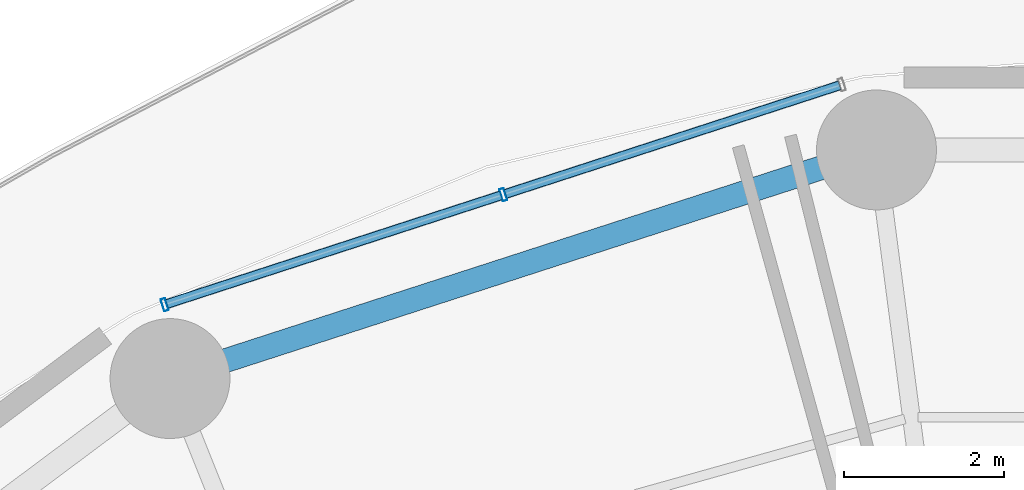
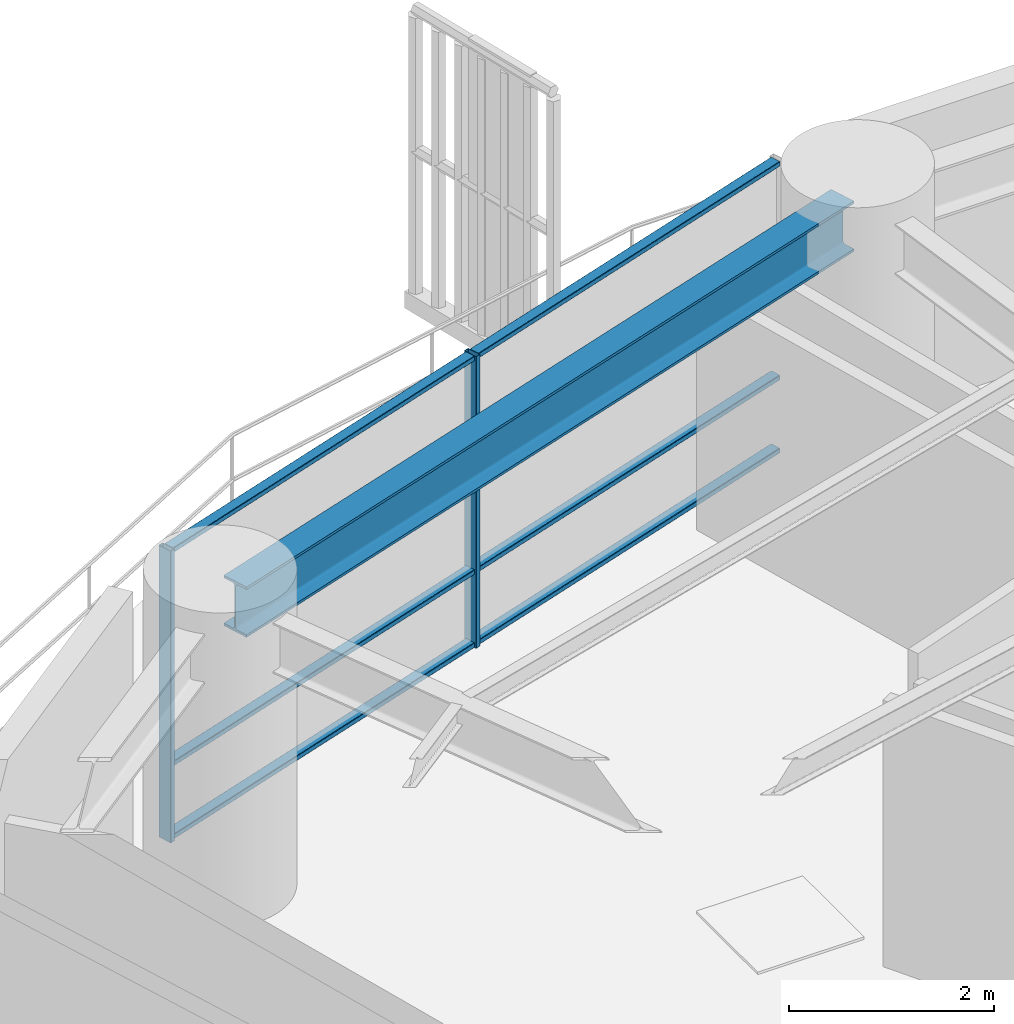
# One storey, part 17 of 34: 8 members, 1 beam, 1 element without a shape of its own.
"""IFC4 building model written with IfcOpenShell, lengths in metres."""

from ifc_helpers import new_model, si_unit, direction, frame, origin, origin_2d, place, context, subcontext, project, spatial, hollow_rectangle, i_section, extrude, material, layer, layer_set, material_profile, profile_set, type_object, element, aggregate, save


model = new_model("IFC4")

# Units and contexts
model_context = context("Model", 3, precision=1e-05, world=origin(), true_north=direction((0.0, 1.0)))
body_context = subcontext(model_context, "Body", "Model", "MODEL_VIEW")
ifc_project = project(units=[si_unit("LENGTHUNIT", "METRE"), si_unit("AREAUNIT", "SQUARE_METRE"), si_unit("VOLUMEUNIT", "CUBIC_METRE"), si_unit("PLANEANGLEUNIT", "RADIAN"), si_unit("MASSUNIT", "GRAM", prefix="KILO")], contexts=[model_context])

# Site, building, storey
site_placement = place(None, origin())
site = spatial("IfcSite", under=ifc_project, at=site_placement, CompositionType="ELEMENT")
building_placement = place(site_placement, origin())
building = spatial("IfcBuilding", under=site, at=building_placement, Name="Kelanora Arch Commons", CompositionType="ELEMENT")
storey_placement = place(building_placement, frame((0.0, 0.0, 30.0)))
storey = spatial("IfcBuildingStorey", under=building, at=storey_placement, Name="L07", CompositionType="ELEMENT", Elevation=30.0)

# Beam
ifc_material_1 = material(Name="Steel S355", Category="steel")
ifc_material_profile_1 = material_profile(ifc_material_1, i_section(OverallWidth=0.300048828125, OverallDepth=0.60009765625, WebThickness=0.015380859375, FlangeThickness=0.030029296875, FilletRadius=0.027099609375, at=origin_2d()), Name="HEB600")
ifc_profile_set_1 = profile_set([ifc_material_profile_1], Name="Steel S355")
beam_type = type_object("IfcBeamType", Name="BM-SPN-Z1", PredefinedType="SPANDREL", material=ifc_profile_set_1)
beam_placement = place(storey_placement, frame((69.08837890625, 81.646484375, 3.18994140625), z_axis=(-0.951411479564, -0.307922387224, 0.0), x_axis=(0.307922387224, -0.951411479564, 0.0)))
element("IfcBeam", 1, at=beam_placement, inside=storey, type_object=beam_type, Name="Perimeter Spandrel Beam BS-10 L07", PredefinedType="SPANDREL", context=body_context, shape_type="SweptSolid", body=[
    extrude(i_section(OverallWidth=0.300048828125, OverallDepth=0.60009765625, WebThickness=0.015380859375, FlangeThickness=0.030029296875, FilletRadius=0.027099609375, at=origin_2d()), origin(), (0.0, 0.0, 1.0), 8.84912109375),
])

# Curtain wall, members
ifc_material_2 = material(Name="Terracotta ceramic-fritted low-E glass and aluminium", Category="masonry")
ifc_layer = layer(ifc_material_2, 0.159912109375)
ifc_layer_set = layer_set([ifc_layer], Name="Terracotta ceramic-fritted low-E glass and aluminium")
curtain_wall_type = type_object("IfcCurtainWallType", Name="CW-SYS-01", PredefinedType="NOTDEFINED", material=ifc_layer_set)
curtain_wall_placement = place(storey_placement, origin())
curtain_wall = element("IfcCurtainWall", 2, at=curtain_wall_placement, inside=storey, type_object=curtain_wall_type, Name="Unitised Curtain Wall L07-B05", PredefinedType="NOTDEFINED")
ifc_material_3 = material(Name="Powder-coated aluminium terracotta", Category="masonry")
ifc_material_profile_2 = material_profile(ifc_material_3, hollow_rectangle(XDim=0.159912109375, YDim=0.06005859375, WallThickness=0.0048828125, InnerFilletRadius=0.0048828125, OuterFilletRadius=0.010009765625, at=origin_2d()), Name="CWM160x60")
ifc_profile_set_2 = profile_set([ifc_material_profile_2], Name="Powder-coated aluminium terracotta")
member_type_1 = type_object("IfcMemberType", Name="CWM-STD", PredefinedType="MULLION", material=ifc_profile_set_2)
member_1_placement = place(storey_placement, frame((64.62890625, 81.15478515625, 0.0), z_axis=(0.0, 0.0, 1.0), x_axis=(0.30905758454, -0.951043326793, 0.0)))
member_1 = element("IfcMember", 3, at=member_1_placement, type_object=member_type_1, Name="CW-01 mullion 2", PredefinedType="MULLION", context=body_context, shape_type="SweptSolid", body=[
    extrude(hollow_rectangle(XDim=0.159912109375, YDim=0.06005859375, WallThickness=0.0048828125, InnerFilletRadius=0.0048828125, OuterFilletRadius=0.010009765625, at=origin_2d()), origin(), (0.0, 0.0, 1.0), 3.47509765625),
])
member_2_placement = place(storey_placement, frame((60.392333984375, 79.778076171875, 0.0), z_axis=(0.0, 0.0, 1.0), x_axis=(0.30905758454, -0.951043326793, 0.0)))
member_2 = element("IfcMember", 4, at=member_2_placement, type_object=member_type_1, Name="CW-01 mullion 3", PredefinedType="MULLION", context=body_context, shape_type="SweptSolid", body=[
    extrude(hollow_rectangle(XDim=0.159912109375, YDim=0.06005859375, WallThickness=0.0048828125, InnerFilletRadius=0.0048828125, OuterFilletRadius=0.010009765625, at=origin_2d()), origin(), (0.0, 0.0, 1.0), 3.47509765625),
])
ifc_material_profile_3 = material_profile(ifc_material_3, hollow_rectangle(XDim=0.1201171875, YDim=0.06005859375, WallThickness=0.0048828125, InnerFilletRadius=0.0048828125, OuterFilletRadius=0.010009765625, at=origin_2d()), Name="CWT120x60")
ifc_profile_set_3 = profile_set([ifc_material_profile_3], Name="Powder-coated aluminium terracotta")
member_type_2 = type_object("IfcMemberType", Name="CWT-STD", PredefinedType="USERDEFINED", material=ifc_profile_set_3)
member_3_placement = place(storey_placement, frame((68.8369140625, 82.5224609375, 0.030029296875), z_axis=(-0.951028761285, -0.309102402464, 0.0), x_axis=(0.309102402464, -0.951028761285, 0.0)))
member_3 = element("IfcMember", 5, at=member_3_placement, type_object=member_type_2, Name="CW-01 transom 1.1", ObjectType="TRANSOM", PredefinedType="USERDEFINED", context=body_context, shape_type="SweptSolid", body=[
    extrude(hollow_rectangle(XDim=0.1201171875, YDim=0.06005859375, WallThickness=0.0048828125, InnerFilletRadius=0.0048828125, OuterFilletRadius=0.010009765625, at=origin_2d()), origin(), (0.0, 0.0, 1.0), 4.394775390625),
])
member_4_placement = place(storey_placement, frame((68.8369140625, 82.5224609375, 0.89990234375), z_axis=(-0.951028761285, -0.309102402464, 0.0), x_axis=(0.309102402464, -0.951028761285, 0.0)))
member_4 = element("IfcMember", 6, at=member_4_placement, type_object=member_type_2, Name="CW-01 transom 1.2", ObjectType="TRANSOM", PredefinedType="USERDEFINED", context=body_context, shape_type="SweptSolid", body=[
    extrude(hollow_rectangle(XDim=0.1201171875, YDim=0.06005859375, WallThickness=0.0048828125, InnerFilletRadius=0.0048828125, OuterFilletRadius=0.010009765625, at=origin_2d()), origin(), (0.0, 0.0, 1.0), 4.394775390625),
])
member_5_placement = place(storey_placement, frame((68.8369140625, 82.5224609375, 3.445068359375), z_axis=(-0.951028761285, -0.309102402464, 0.0), x_axis=(0.309102402464, -0.951028761285, 0.0)))
member_5 = element("IfcMember", 7, at=member_5_placement, type_object=member_type_2, Name="CW-01 transom 1.3", ObjectType="TRANSOM", PredefinedType="USERDEFINED", context=body_context, shape_type="SweptSolid", body=[
    extrude(hollow_rectangle(XDim=0.1201171875, YDim=0.06005859375, WallThickness=0.0048828125, InnerFilletRadius=0.0048828125, OuterFilletRadius=0.010009765625, at=origin_2d()), origin(), (0.0, 0.0, 1.0), 4.394775390625),
])
member_6_placement = place(storey_placement, frame((64.600341796875, 81.1455078125, 0.030029296875), z_axis=(-0.951045091182, -0.309052155047, 0.0), x_axis=(0.309052155047, -0.951045091182, 0.0)))
member_6 = element("IfcMember", 8, at=member_6_placement, type_object=member_type_2, Name="CW-01 transom 2.1", ObjectType="TRANSOM", PredefinedType="USERDEFINED", context=body_context, shape_type="SweptSolid", body=[
    extrude(hollow_rectangle(XDim=0.1201171875, YDim=0.06005859375, WallThickness=0.0048828125, InnerFilletRadius=0.0048828125, OuterFilletRadius=0.010009765625, at=origin_2d()), origin(), (0.0, 0.0, 1.0), 4.39453125),
])
member_7_placement = place(storey_placement, frame((64.600341796875, 81.1455078125, 0.89990234375), z_axis=(-0.951045091182, -0.309052155047, 0.0), x_axis=(0.309052155047, -0.951045091182, 0.0)))
member_7 = element("IfcMember", 9, at=member_7_placement, type_object=member_type_2, Name="CW-01 transom 2.2", ObjectType="TRANSOM", PredefinedType="USERDEFINED", context=body_context, shape_type="SweptSolid", body=[
    extrude(hollow_rectangle(XDim=0.1201171875, YDim=0.06005859375, WallThickness=0.0048828125, InnerFilletRadius=0.0048828125, OuterFilletRadius=0.010009765625, at=origin_2d()), origin(), (0.0, 0.0, 1.0), 4.39453125),
])
member_8_placement = place(storey_placement, frame((64.600341796875, 81.1455078125, 3.445068359375), z_axis=(-0.951045091182, -0.309052155047, 0.0), x_axis=(0.309052155047, -0.951045091182, 0.0)))
member_8 = element("IfcMember", 10, at=member_8_placement, type_object=member_type_2, Name="CW-01 transom 2.3", ObjectType="TRANSOM", PredefinedType="USERDEFINED", context=body_context, shape_type="SweptSolid", body=[
    extrude(hollow_rectangle(XDim=0.1201171875, YDim=0.06005859375, WallThickness=0.0048828125, InnerFilletRadius=0.0048828125, OuterFilletRadius=0.010009765625, at=origin_2d()), origin(), (0.0, 0.0, 1.0), 4.39453125),
])
aggregate(curtain_wall, [member_1, member_2, member_3, member_4, member_5, member_6, member_7, member_8])

save(model, "model.ifc")
